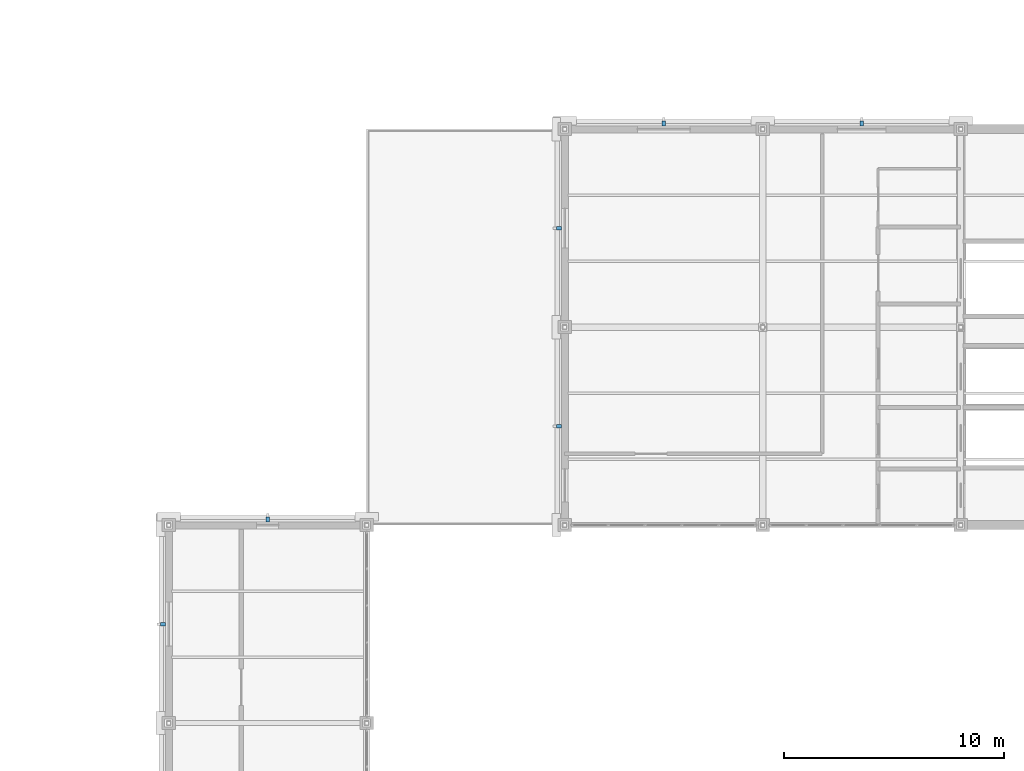
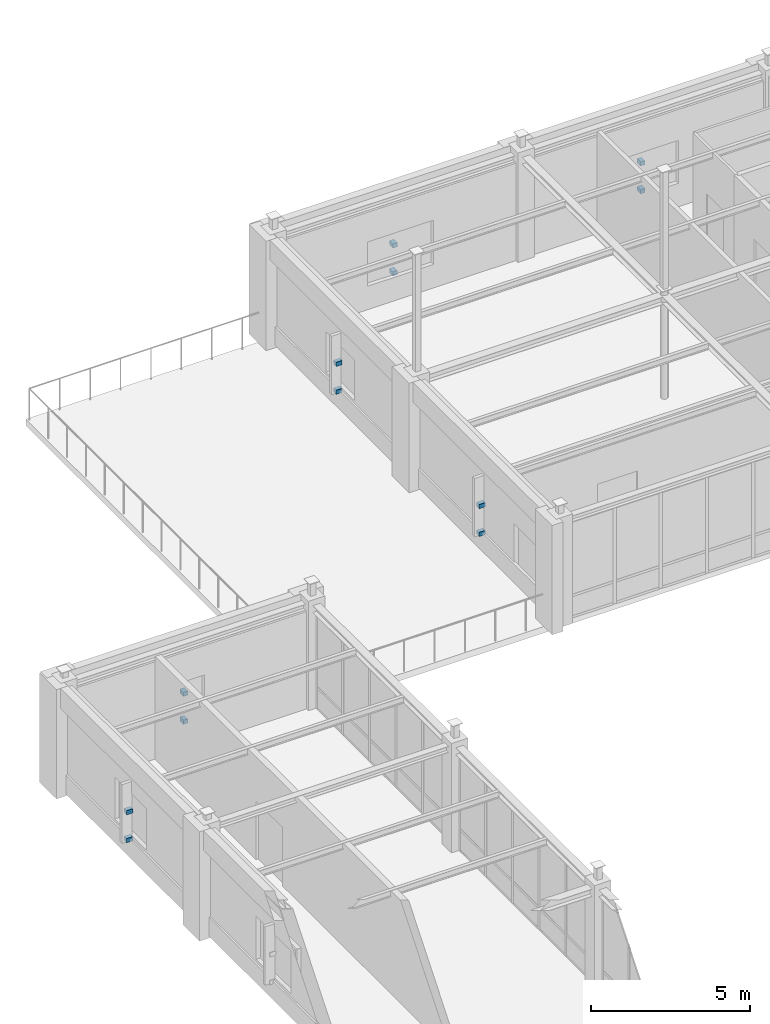
# One storey, part 91 of 97: 12 discrete accessories.
"""IFC4 building model written with IfcOpenShell, lengths in metres."""

from ifc_helpers import new_model, si_unit, direction, frame, origin, origin_2d, place, context, subcontext, project, spatial, rectangle, extrude, material, type_object, element, save


model = new_model("IFC4")

# Units and contexts
model_context = context("Model", 3, precision=1e-05, world=origin(), true_north=direction((0.0, 1.0)))
body_context = subcontext(model_context, "Body", "Model", "MODEL_VIEW")
ifc_project = project(units=[si_unit("LENGTHUNIT", "METRE"), si_unit("AREAUNIT", "SQUARE_METRE"), si_unit("VOLUMEUNIT", "CUBIC_METRE"), si_unit("PLANEANGLEUNIT", "RADIAN"), si_unit("MASSUNIT", "GRAM", prefix="KILO")], contexts=[model_context])

# Site, building, storey
site_placement = place(None, origin())
site = spatial("IfcSite", under=ifc_project, at=site_placement, CompositionType="ELEMENT")
building_placement = place(site_placement, origin())
building = spatial("IfcBuilding", under=site, at=building_placement, Name="Lykobir Media Centre", CompositionType="ELEMENT")
storey_placement = place(building_placement, frame((0.0, 0.0, 23.39990234375)))
storey = spatial("IfcBuildingStorey", under=building, at=storey_placement, Name="L05", CompositionType="ELEMENT", Elevation=23.39990234375)

# Discrete accessories
ifc_material = material(Name="Steel S355", Category="steel")
discrete_accessory_type = type_object("IfcDiscreteAccessoryType", Name="ACC-BRK", PredefinedType="BRACKET", material=ifc_material)
for number, where, z_axis, x_axis, name in (
    (1, (94.5, 72.260009765625, 0.7001953125), (0.0, 0.0, 1.0), (-1.0, 0.0, 0.0), "Cumba corbel bracket 161"),
    (2, (94.5, 72.260009765625, 1.77001953125), (0.0, 0.0, 1.0), (-1.0, 0.0, 0.0), "Shading fin bracket 162"),
    (3, (89.739990234375, 67.5, 0.7001953125), (0.0, 0.0, 1.0), (0.0, -1.0, 0.0), "Cumba corbel bracket 173"),
    (4, (89.739990234375, 67.5, 1.77001953125), (0.0, 0.0, 1.0), (0.0, -1.0, 0.0), "Shading fin bracket 174"),
    (5, (112.5, 90.260009765625, 0.7001953125), (0.0, 0.0, 1.0), (-1.0, 0.0, 0.0), "Cumba corbel bracket 219"),
    (6, (112.5, 90.260009765625, 1.77001953125), (0.0, 0.0, 1.0), (-1.0, 0.0, 0.0), "Shading fin bracket 220"),
    (7, (121.5, 90.260009765625, 0.7001953125), (0.0, 0.0, 1.0), (-1.0, 0.0, 0.0), "Cumba corbel bracket 221"),
    (8, (121.5, 90.260009765625, 1.77001953125), (0.0, 0.0, 1.0), (-1.0, 0.0, 0.0), "Shading fin bracket 222"),
    (9, (107.739990234375, 76.5, 0.7001953125), (0.0, 0.0, 1.0), (0.0, -1.0, 0.0), "Cumba corbel bracket 223"),
    (10, (107.739990234375, 76.5, 1.77001953125), (0.0, 0.0, 1.0), (0.0, -1.0, 0.0), "Shading fin bracket 224"),
    (11, (107.739990234375, 85.5, 0.7001953125), (0.0, 0.0, 1.0), (0.0, -1.0, 0.0), "Cumba corbel bracket 225"),
    (12, (107.739990234375, 85.5, 1.77001953125), (0.0, 0.0, 1.0), (0.0, -1.0, 0.0), "Shading fin bracket 226"),
):
    element("IfcDiscreteAccessory", number, at=place(storey_placement, frame(where, z_axis=z_axis, x_axis=x_axis)), inside=storey, type_object=discrete_accessory_type, Name=name, PredefinedType="BRACKET", context=body_context, shape_type="SweptSolid", body=[
        extrude(rectangle(XDim=0.159912109375, YDim=0.219970703125, at=origin_2d()), origin(), (0.0, 0.0, 1.0), 0.159912109375),
    ])

save(model, "model.ifc")
